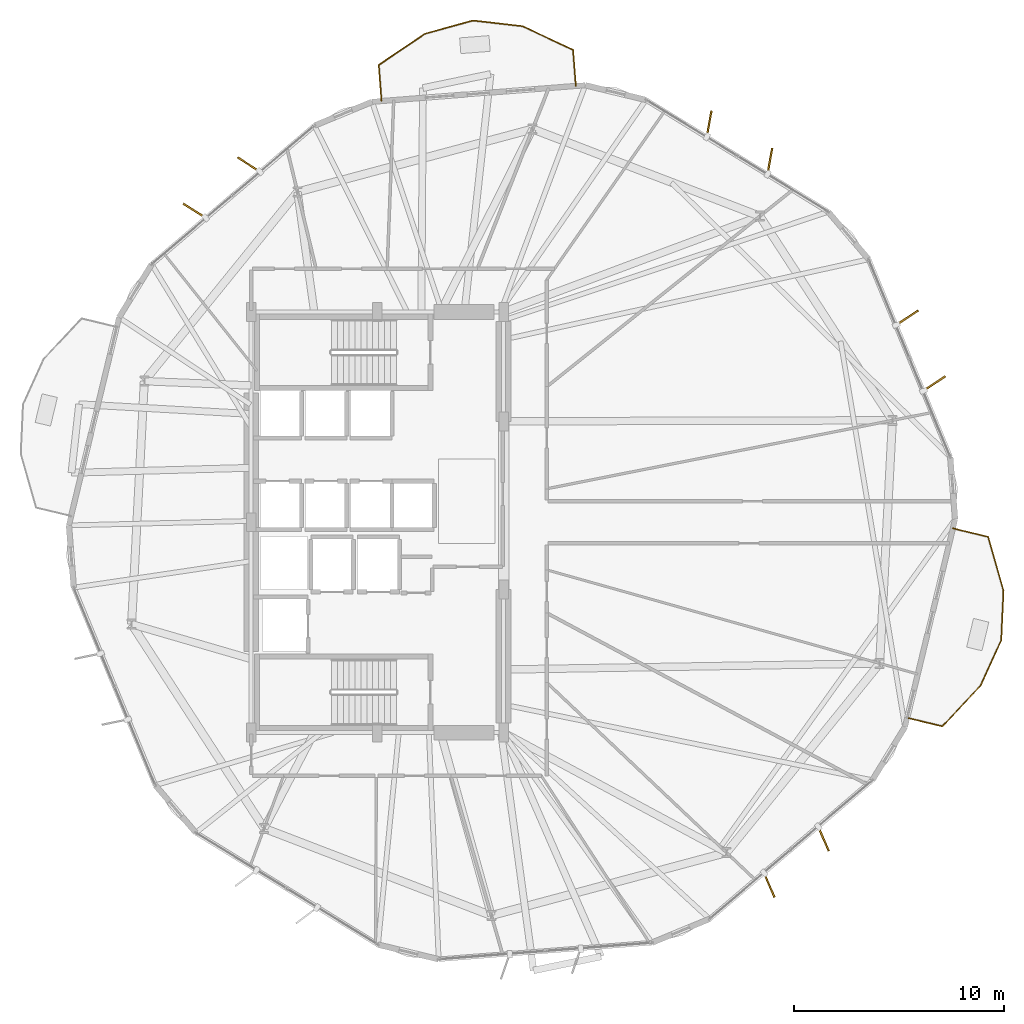
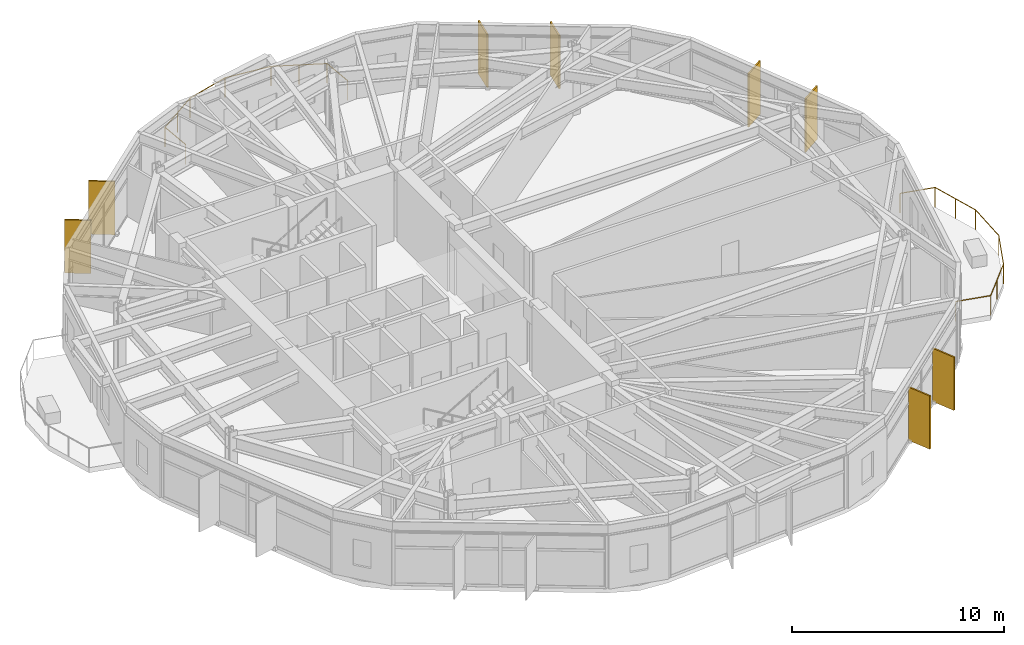
# One storey, part 22 of 22: 8 shading devices, 2 railings.
"""IFC4 building model written with IfcOpenShell, lengths in metres."""

from ifc_helpers import new_model, si_unit, direction, frame, origin, origin_2d, place, context, subcontext, project, spatial, rectangle, circle, extrude, material, layer, layer_set, type_object, element, save


model = new_model("IFC4")

# Units and contexts
model_context = context("Model", 3, precision=1e-05, world=origin(), true_north=direction((0.0, 1.0)))
body_context = subcontext(model_context, "Body", "Model", "MODEL_VIEW")
ifc_project = project(units=[si_unit("LENGTHUNIT", "METRE"), si_unit("AREAUNIT", "SQUARE_METRE"), si_unit("VOLUMEUNIT", "CUBIC_METRE"), si_unit("PLANEANGLEUNIT", "RADIAN"), si_unit("MASSUNIT", "GRAM", prefix="KILO")], contexts=[model_context])

# Site, building, storey
site_placement = place(None, origin())
site = spatial("IfcSite", under=ifc_project, at=site_placement, CompositionType="ELEMENT")
building_placement = place(site_placement, origin())
building = spatial("IfcBuilding", under=site, at=building_placement, Name="Soratama Intermodal Tower", CompositionType="ELEMENT")
storey_placement = place(building_placement, frame((0.0, 0.0, 50.60009765625)))
storey = spatial("IfcBuildingStorey", under=building, at=storey_placement, Name="L11", CompositionType="ELEMENT", Elevation=50.60009765625)

# Railings
ifc_material_1 = material(Name="Laminated glass and stainless steel balustrade", Category="steel")
railing_type = type_object("IfcRailingType", Name="RL-BAL-1150", PredefinedType="BALUSTRADE", material=ifc_material_1)
railing_1_placement = place(storey_placement, frame((65.958984375, 24.71044921875, 0.0)))
element("IfcRailing", 1, at=railing_1_placement, inside=storey, type_object=railing_type, Name="L11 Balcony Balustrade 1", PredefinedType="BALUSTRADE", context=body_context, shape_type="SweptSolid", body=[
    extrude(circle(Radius=0.02392578125, at=origin_2d()), frame((0.0, 0.0, 1.1259765625), z_axis=(0.97212126743, -0.234478658752, 0.0), x_axis=(0.234478658752, 0.97212126743, 0.0)), (0.0, 0.0, 1.0), 1.719970703125),
    extrude(circle(Radius=0.02392578125, at=origin_2d()), frame((1.672119140625, -0.4033203125, 1.1259765625), z_axis=(0.274733243242, -0.961520486031, 0.0), x_axis=(0.961520486031, 0.274733243242, 0.0)), (0.0, 0.0, 1.0), 2.661376953125),
    extrude(circle(Radius=0.02392578125, at=origin_2d()), frame((2.4033203125, -2.96240234375, 1.1259765625), z_axis=(-0.045116638962, -0.998981726003, 0.0), x_axis=(0.998981726003, -0.045116638962, 0.0)), (0.0, 0.0, 1.0), 2.359375),
    extrude(circle(Radius=0.02392578125, at=origin_2d()), frame((2.296875, -5.3193359375, 1.1259765625), z_axis=(-0.415229060114, -0.909716894224, 0.0), x_axis=(0.909716894224, -0.415229060114, 0.0)), (0.0, 0.0, 1.0), 2.359619140625),
    extrude(circle(Radius=0.02392578125, at=origin_2d()), frame((1.317138671875, -7.4658203125, 1.1259765625), z_axis=(-0.682854079009, -0.730554793825, 0.0), x_axis=(0.730554793825, -0.682854079009, 0.0)), (0.0, 0.0, 1.0), 2.661376953125),
    extrude(circle(Radius=0.02392578125, at=origin_2d()), frame((-0.500244140625, -9.41015625, 1.1259765625), z_axis=(-0.97212126743, 0.234478658752, 0.0), x_axis=(-0.234478658752, -0.97212126743, 0.0)), (0.0, 0.0, 1.0), 1.719970703125),
    extrude(circle(Radius=0.02099609375, at=origin_2d()), origin(), (0.0, 0.0, 1.0), 1.101806640625),
    extrude(circle(Radius=0.02099609375, at=origin_2d()), frame((1.672119140625, -0.4033203125, 0.0)), (0.0, 0.0, 1.0), 1.101806640625),
    extrude(circle(Radius=0.02099609375, at=origin_2d()), frame((2.03759765625, -1.682861328125, 0.0)), (0.0, 0.0, 1.0), 1.101806640625),
    extrude(circle(Radius=0.02099609375, at=origin_2d()), frame((2.4033203125, -2.96240234375, 0.0)), (0.0, 0.0, 1.0), 1.101806640625),
    extrude(circle(Radius=0.02099609375, at=origin_2d()), frame((2.296875, -5.3193359375, 0.0)), (0.0, 0.0, 1.0), 1.101806640625),
    extrude(circle(Radius=0.02099609375, at=origin_2d()), frame((1.317138671875, -7.4658203125, 0.0)), (0.0, 0.0, 1.0), 1.101806640625),
    extrude(circle(Radius=0.02099609375, at=origin_2d()), frame((0.408447265625, -8.43798828125, 0.0)), (0.0, 0.0, 1.0), 1.101806640625),
    extrude(circle(Radius=0.02099609375, at=origin_2d()), frame((-0.500244140625, -9.41015625, 0.0)), (0.0, 0.0, 1.0), 1.101806640625),
    extrude(circle(Radius=0.02099609375, at=origin_2d()), frame((-2.17236328125, -9.0068359375, 0.0)), (0.0, 0.0, 1.0), 1.101806640625),
])
railing_2_placement = place(storey_placement, frame((38.798583984375, 45.022705078125, 0.0)))
element("IfcRailing", 2, at=railing_2_placement, inside=storey, type_object=railing_type, Name="L11 Balcony Balustrade 2", PredefinedType="BALUSTRADE", context=body_context, shape_type="SweptSolid", body=[
    extrude(circle(Radius=0.02392578125, at=origin_2d()), frame((0.0, 0.0, 1.1259765625), z_axis=(-0.077358601466, 0.997003333384, 0.0), x_axis=(-0.997003333384, -0.077358601466, 0.0)), (0.0, 0.0, 1.0), 1.719970703125),
    extrude(circle(Radius=0.02392578125, at=origin_2d()), frame((-0.133056640625, 1.71484375, 1.1259765625), z_axis=(0.829558331059, 0.558420070709, 0.0), x_axis=(-0.558420070709, 0.829558331059, 0.0)), (0.0, 0.0, 1.0), 2.66162109375),
    extrude(circle(Radius=0.02392578125, at=origin_2d()), frame((2.074951171875, 3.201171875, 1.1259765625), z_axis=(0.964051133857, 0.26571678778, 0.0), x_axis=(-0.26571678778, 0.964051133857, 0.0)), (0.0, 0.0, 1.0), 2.359375),
    extrude(circle(Radius=0.02392578125, at=origin_2d()), frame((4.349609375, 3.828125, 1.1259765625), z_axis=(0.993512310904, -0.113724615111, 0.0), x_axis=(0.113724615111, 0.993512310904, 0.0)), (0.0, 0.0, 1.0), 2.359375),
    extrude(circle(Radius=0.02392578125, at=origin_2d()), frame((6.693603515625, 3.559814453125, 1.1259765625), z_axis=(0.905807839793, -0.423688750583, 0.0), x_axis=(0.423688750583, 0.905807839793, 0.0)), (0.0, 0.0, 1.0), 2.66162109375),
    extrude(circle(Radius=0.02392578125, at=origin_2d()), frame((9.1044921875, 2.43212890625, 1.1259765625), z_axis=(0.077358601466, -0.997003333384, 0.0), x_axis=(0.997003333384, 0.077358601466, 0.0)), (0.0, 0.0, 1.0), 1.719970703125),
    extrude(circle(Radius=0.02099609375, at=origin_2d()), origin(), (0.0, 0.0, 1.0), 1.101806640625),
    extrude(circle(Radius=0.02099609375, at=origin_2d()), frame((-0.133056640625, 1.71484375, 0.0)), (0.0, 0.0, 1.0), 1.101806640625),
    extrude(circle(Radius=0.02099609375, at=origin_2d()), frame((0.970947265625, 2.4580078125, 0.0)), (0.0, 0.0, 1.0), 1.101806640625),
    extrude(circle(Radius=0.02099609375, at=origin_2d()), frame((2.074951171875, 3.201171875, 0.0)), (0.0, 0.0, 1.0), 1.101806640625),
    extrude(circle(Radius=0.02099609375, at=origin_2d()), frame((4.349609375, 3.828125, 0.0)), (0.0, 0.0, 1.0), 1.101806640625),
    extrude(circle(Radius=0.02099609375, at=origin_2d()), frame((6.693603515625, 3.559814453125, 0.0)), (0.0, 0.0, 1.0), 1.101806640625),
    extrude(circle(Radius=0.02099609375, at=origin_2d()), frame((7.89892578125, 2.99609375, 0.0)), (0.0, 0.0, 1.0), 1.101806640625),
    extrude(circle(Radius=0.02099609375, at=origin_2d()), frame((9.1044921875, 2.43212890625, 0.0)), (0.0, 0.0, 1.0), 1.101806640625),
    extrude(circle(Radius=0.02099609375, at=origin_2d()), frame((9.237548828125, 0.71728515625, 0.0)), (0.0, 0.0, 1.0), 1.101806640625),
])

# Shading devices
ifc_material_2 = material(Name="Champagne anodised aluminium solar fin", Category="aluminium")
ifc_layer = layer(ifc_material_2, 0.080078125)
ifc_layer_set = layer_set([ifc_layer], Name="Champagne anodised aluminium solar fin")
shading_device_type = type_object("IfcShadingDeviceType", Name="SH-FIN-1250", PredefinedType="USERDEFINED", material=ifc_layer_set)
for number, where, z_axis, x_axis, name in (
    (3, (65.080322265625, 31.591796875, 0.019775390625), (0.0, 0.0, 1.0), (0.835423867485, 0.549606187772, 0.0), "L11 Solar Fin F01-1"),
    (4, (63.786865234375, 34.7236328125, 0.019775390625), (0.0, 0.0, 1.0), (0.835423867485, 0.549606187772, 0.0), "L11 Solar Fin F01-2"),
    (5, (57.257080078125, 42.167236328125, 0.019775390625), (0.0, 0.0, 1.0), (0.176741180461, 0.984257362243, 0.0), "L11 Solar Fin F02-1"),
    (6, (54.369873046875, 43.940673828125, 0.019775390625), (0.0, 0.0, 1.0), (0.176741180461, 0.984257362243, 0.0), "L11 Solar Fin F02-2"),
    (7, (32.48583984375, 42.0048828125, 0.019775390625), (0.0, 0.0, 1.0), (-0.842546417417, 0.53862374112, 0.0), "L11 Solar Fin F04-1"),
    (8, (29.906982421875, 39.80712890625, 0.019775390625), (0.0, 0.0, 1.0), (-0.842546417417, 0.53862374112, 0.0), "L11 Solar Fin F04-2"),
    (9, (57.227783203125, 7.750732421875, 0.019775390625), (0.0, 0.0, 1.0), (0.398268842755, -0.917268733191, 0.0), "L11 Solar Fin F09-1"),
    (10, (59.806396484375, 9.94873046875, 0.019775390625), (0.0, 0.0, 1.0), (0.398268842755, -0.917268733191, 0.0), "L11 Solar Fin F09-2"),
):
    element("IfcShadingDevice", number, at=place(storey_placement, frame(where, z_axis=z_axis, x_axis=x_axis)), inside=storey, type_object=shading_device_type, Name=name, ObjectType="FIN", PredefinedType="USERDEFINED", context=body_context, shape_type="SweptSolid", body=[
        extrude(rectangle(XDim=1.25, YDim=0.080078125, at=origin_2d()), origin(), (0.0, 0.0, 1.0), 3.05908203125),
    ])

save(model, "model.ifc")
